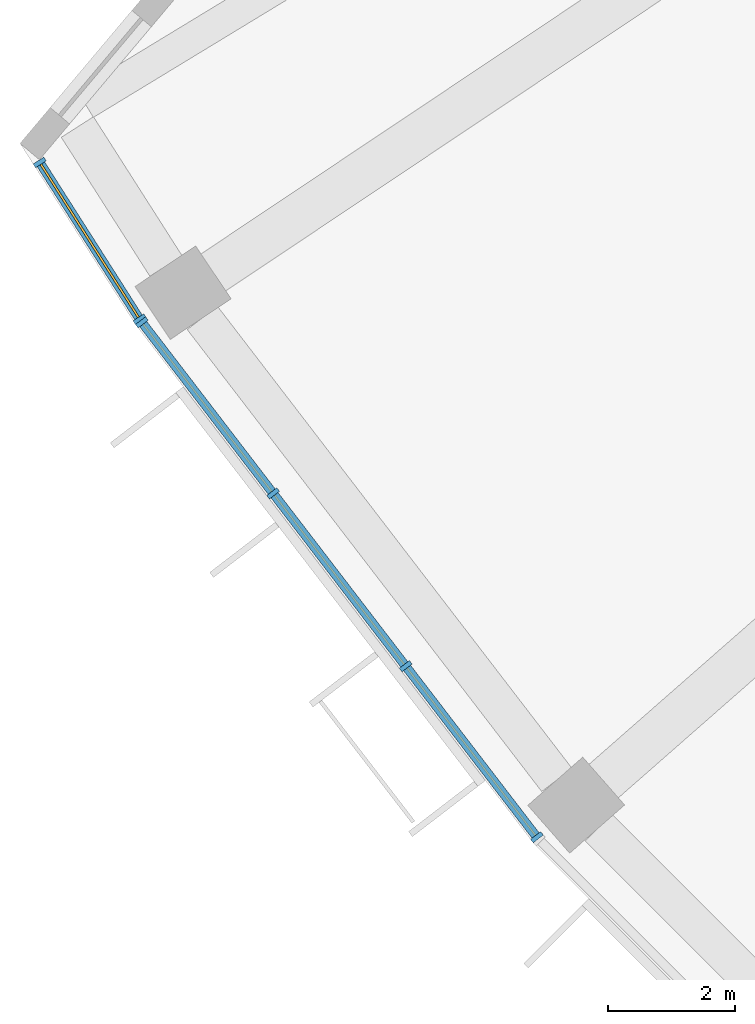
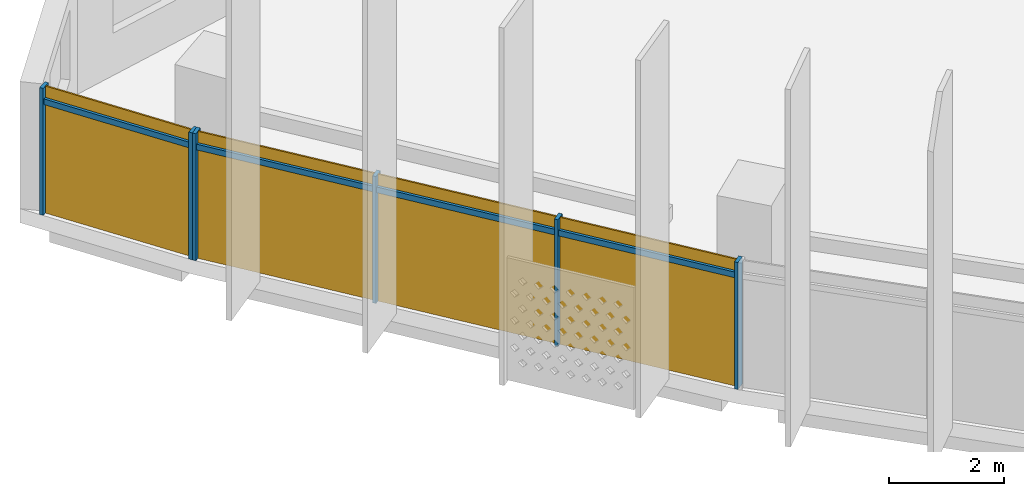
# One storey, part 19 of 28: 10 members, 2 curtain walls.
"""IFC4 building model written with IfcOpenShell, lengths in metres."""

from ifc_helpers import new_model, si_unit, direction, frame, origin, origin_2d, place, context, subcontext, project, spatial, rectangle, extrude, material, material_profile, profile_set, type_object, element, aggregate, save


model = new_model("IFC4")

# Units and contexts
model_context = context("Model", 3, precision=1e-05, world=origin(), true_north=direction((0.0, 1.0)))
body_context = subcontext(model_context, "Body", "Model", "MODEL_VIEW")
ifc_project = project(units=[si_unit("LENGTHUNIT", "METRE"), si_unit("AREAUNIT", "SQUARE_METRE"), si_unit("VOLUMEUNIT", "CUBIC_METRE"), si_unit("PLANEANGLEUNIT", "RADIAN"), si_unit("MASSUNIT", "GRAM", prefix="KILO")], contexts=[model_context])

# Member
ifc_material = material(Name="Aluminium 6063-T6 anodised", Category="aluminium")
ifc_material_profile_1 = material_profile(ifc_material, rectangle(XDim=0.199951171875, YDim=0.070068359375, at=origin_2d()))
ifc_profile_set_1 = profile_set([ifc_material_profile_1], Name="Aluminium 6063-T6 anodised")
member_type_1 = type_object("IfcMemberType", Name="Mullion 70 x 200 aluminium", PredefinedType="MULLION", material=ifc_profile_set_1)
site_placement = place(None, origin())
building_placement = place(site_placement, origin())
storey_placement = place(building_placement, frame((0.0, 0.0, 241.699951171875)))
member_1_placement = place(storey_placement, frame((-66.903076171875, -41.144287109375, 0.0), z_axis=(0.0, 0.0, 1.0), x_axis=(0.843222031834, 0.537565442555, 0.0)))
member_1 = element("IfcMember", 1, at=member_1_placement, type_object=member_type_1, Name="e-cw1-L58-out00/M00", PredefinedType="MULLION", context=body_context, shape_type="SweptSolid", body=[
    extrude(rectangle(XDim=0.199951171875, YDim=0.070068359375, at=origin_2d()), origin(), (0.0, 0.0, 1.0), 2.699951171875),
])

member_2_placement = place(storey_placement, frame((-65.32958984375, -43.6123046875, 0.0), z_axis=(0.0, 0.0, 1.0), x_axis=(0.843222031834, 0.537565442555, 0.0)))
member_2 = element("IfcMember", 2, at=member_2_placement, type_object=member_type_1, Name="e-cw1-L58-out00/M01", PredefinedType="MULLION", context=body_context, shape_type="SweptSolid", body=[
    extrude(rectangle(XDim=0.199951171875, YDim=0.070068359375, at=origin_2d()), origin(), (0.0, 0.0, 1.0), 2.699951171875),
])

member_3_placement = place(storey_placement, frame((-65.29443359375, -43.66259765625, 0.0), z_axis=(0.0, 0.0, 1.0), x_axis=(0.793353340291, 0.608761429009, 0.0)))
member_3 = element("IfcMember", 3, at=member_3_placement, type_object=member_type_1, Name="e-cw1-L58-out01/M00", PredefinedType="MULLION", context=body_context, shape_type="SweptSolid", body=[
    extrude(rectangle(XDim=0.199951171875, YDim=0.070068359375, at=origin_2d()), origin(), (0.0, 0.0, 1.0), 2.699951171875),
])

member_4_placement = place(storey_placement, frame((-63.22802734375, -46.35546875, 0.0), z_axis=(0.0, 0.0, 1.0), x_axis=(0.793353340291, 0.608761429009, 0.0)))
member_4 = element("IfcMember", 4, at=member_4_placement, type_object=member_type_1, Name="e-cw1-L58-out01/M01", PredefinedType="MULLION", context=body_context, shape_type="SweptSolid", body=[
    extrude(rectangle(XDim=0.199951171875, YDim=0.070068359375, at=origin_2d()), origin(), (0.0, 0.0, 1.0), 2.699951171875),
])

member_5_placement = place(storey_placement, frame((-61.140380859375, -49.075927734375, 0.0), z_axis=(0.0, 0.0, 1.0), x_axis=(0.793353340291, 0.608761429009, 0.0)))
member_5 = element("IfcMember", 5, at=member_5_placement, type_object=member_type_1, Name="e-cw1-L58-out01/M02", PredefinedType="MULLION", context=body_context, shape_type="SweptSolid", body=[
    extrude(rectangle(XDim=0.199951171875, YDim=0.070068359375, at=origin_2d()), origin(), (0.0, 0.0, 1.0), 2.699951171875),
])

member_6_placement = place(storey_placement, frame((-59.07421875, -51.768798828125, 0.0), z_axis=(0.0, 0.0, 1.0), x_axis=(0.793353340291, 0.608761429009, 0.0)))
member_6 = element("IfcMember", 6, at=member_6_placement, type_object=member_type_1, Name="e-cw1-L58-out01/M03", PredefinedType="MULLION", context=body_context, shape_type="SweptSolid", body=[
    extrude(rectangle(XDim=0.199951171875, YDim=0.070068359375, at=origin_2d()), origin(), (0.0, 0.0, 1.0), 2.699951171875),
])

ifc_material_profile_2 = material_profile(ifc_material, rectangle(XDim=0.139892578125, YDim=0.1201171875, at=origin_2d()))
ifc_profile_set_2 = profile_set([ifc_material_profile_2], Name="Aluminium 6063-T6 anodised")
member_type_2 = type_object("IfcMemberType", Name="Transom 120 x 140 aluminium", PredefinedType="USERDEFINED", material=ifc_profile_set_2)
member_7_placement = place(storey_placement, frame((-66.88427734375, -41.173828125, 2.400146484375), z_axis=(0.537605188072, -0.843196692212, 0.0), x_axis=(0.843196692212, 0.537605188072, 0.0)))
member_7 = element("IfcMember", 7, at=member_7_placement, type_object=member_type_2, Name="e-cw1-L58-out00/T00", ObjectType="TRANSOM", PredefinedType="USERDEFINED", context=body_context, shape_type="SweptSolid", body=[
    extrude(rectangle(XDim=0.139892578125, YDim=0.1201171875, at=origin_2d()), origin(), (0.0, 0.0, 1.0), 2.85693359375),
])

member_8_placement = place(storey_placement, frame((-65.273193359375, -43.690185546875, 2.400146484375), z_axis=(0.608741393132, -0.793368713958, 0.0), x_axis=(0.793368713958, 0.608741393132, 0.0)))
member_8 = element("IfcMember", 8, at=member_8_placement, type_object=member_type_2, Name="e-cw1-L58-out01/T00", ObjectType="TRANSOM", PredefinedType="USERDEFINED", context=body_context, shape_type="SweptSolid", body=[
    extrude(rectangle(XDim=0.139892578125, YDim=0.1201171875, at=origin_2d()), origin(), (0.0, 0.0, 1.0), 3.324462890625),
])

member_9_placement = place(storey_placement, frame((-63.206787109375, -46.383056640625, 2.400146484375), z_axis=(0.608719861247, -0.793385234627, 0.0), x_axis=(0.793385234627, 0.608719861247, 0.0)))
member_9 = element("IfcMember", 9, at=member_9_placement, type_object=member_type_2, Name="e-cw1-L58-out01/T01", ObjectType="TRANSOM", PredefinedType="USERDEFINED", context=body_context, shape_type="SweptSolid", body=[
    extrude(rectangle(XDim=0.139892578125, YDim=0.1201171875, at=origin_2d()), origin(), (0.0, 0.0, 1.0), 3.359375),
])

member_10_placement = place(storey_placement, frame((-61.119140625, -49.103759765625, 2.400146484375), z_axis=(0.608741393132, -0.793368713958, 0.0), x_axis=(0.793368713958, 0.608741393132, 0.0)))
member_10 = element("IfcMember", 10, at=member_10_placement, type_object=member_type_2, Name="e-cw1-L58-out01/T02", ObjectType="TRANSOM", PredefinedType="USERDEFINED", context=body_context, shape_type="SweptSolid", body=[
    extrude(rectangle(XDim=0.139892578125, YDim=0.1201171875, at=origin_2d()), origin(), (0.0, 0.0, 1.0), 3.324462890625),
])

# Site, building, storey
site = spatial("IfcSite", under=ifc_project, at=site_placement, CompositionType="ELEMENT")
building = spatial("IfcBuilding", under=site, at=building_placement, Name="Qamariyya Broadcast Tower", CompositionType="ELEMENT")
storey = spatial("IfcBuildingStorey", under=building, at=storey_placement, Name="L58", CompositionType="ELEMENT", Elevation=241.699951171875)

# Curtain wall
curtain_wall_type = type_object("IfcCurtainWallType", Name="Unitised curtain wall, anodised aluminium", PredefinedType="NOTDEFINED", material=ifc_material)
curtain_wall_1_placement = place(storey_placement, origin())
curtain_wall_1 = element("IfcCurtainWall", 11, at=curtain_wall_1_placement, inside=storey, type_object=curtain_wall_type, Name="e-cw1-L58-out00", PredefinedType="NOTDEFINED", context=body_context, shape_type="SweptSolid", body=[
    extrude(rectangle(XDim=2.85693359375, YDim=0.031982421875, at=origin_2d()), frame((-66.1162109375, -42.37841796875, 0.0), x_axis=(0.537571095274, -0.843218428123, 0.0)), (0.0, 0.0, 1.0), 2.340087890625),
    extrude(rectangle(XDim=2.85693359375, YDim=0.031982421875, at=origin_2d()), frame((-66.1162109375, -42.37841796875, 2.4599609375), x_axis=(0.537571095274, -0.843218428123, 0.0)), (0.0, 0.0, 1.0), 0.239990234375),
])

aggregate(curtain_wall_1, [member_1, member_2, member_7])

curtain_wall_2_placement = place(storey_placement, origin())
curtain_wall_2 = element("IfcCurtainWall", 12, at=curtain_wall_2_placement, inside=storey, type_object=curtain_wall_type, Name="e-cw1-L58-out01", PredefinedType="NOTDEFINED", context=body_context, shape_type="SweptSolid", body=[
    extrude(rectangle(XDim=3.32421875, YDim=0.031982421875, at=origin_2d()), frame((-64.26123046875, -45.009033203125, 0.0), x_axis=(0.608753833159, -0.793359168734, 0.0)), (0.0, 0.0, 1.0), 2.340087890625),
    extrude(rectangle(XDim=3.32421875, YDim=0.031982421875, at=origin_2d()), frame((-64.26123046875, -45.009033203125, 2.4599609375), x_axis=(0.608753833159, -0.793359168734, 0.0)), (0.0, 0.0, 1.0), 0.239990234375),
    extrude(rectangle(XDim=3.359130859375, YDim=0.031982421875, at=origin_2d()), frame((-62.184326171875, -47.7158203125, 0.0), x_axis=(0.608753833159, -0.793359168734, 0.0)), (0.0, 0.0, 1.0), 2.340087890625),
    extrude(rectangle(XDim=3.359130859375, YDim=0.031982421875, at=origin_2d()), frame((-62.184326171875, -47.7158203125, 2.4599609375), x_axis=(0.608753833159, -0.793359168734, 0.0)), (0.0, 0.0, 1.0), 0.239990234375),
    extrude(rectangle(XDim=3.32421875, YDim=0.031982421875, at=origin_2d()), frame((-60.107421875, -50.42236328125, 0.0), x_axis=(0.608753833159, -0.793359168734, 0.0)), (0.0, 0.0, 1.0), 2.340087890625),
    extrude(rectangle(XDim=3.32421875, YDim=0.031982421875, at=origin_2d()), frame((-60.107421875, -50.42236328125, 2.4599609375), x_axis=(0.608753833159, -0.793359168734, 0.0)), (0.0, 0.0, 1.0), 0.239990234375),
])

aggregate(curtain_wall_2, [member_3, member_4, member_5, member_6, member_8, member_9, member_10])

save(model, "model.ifc")
